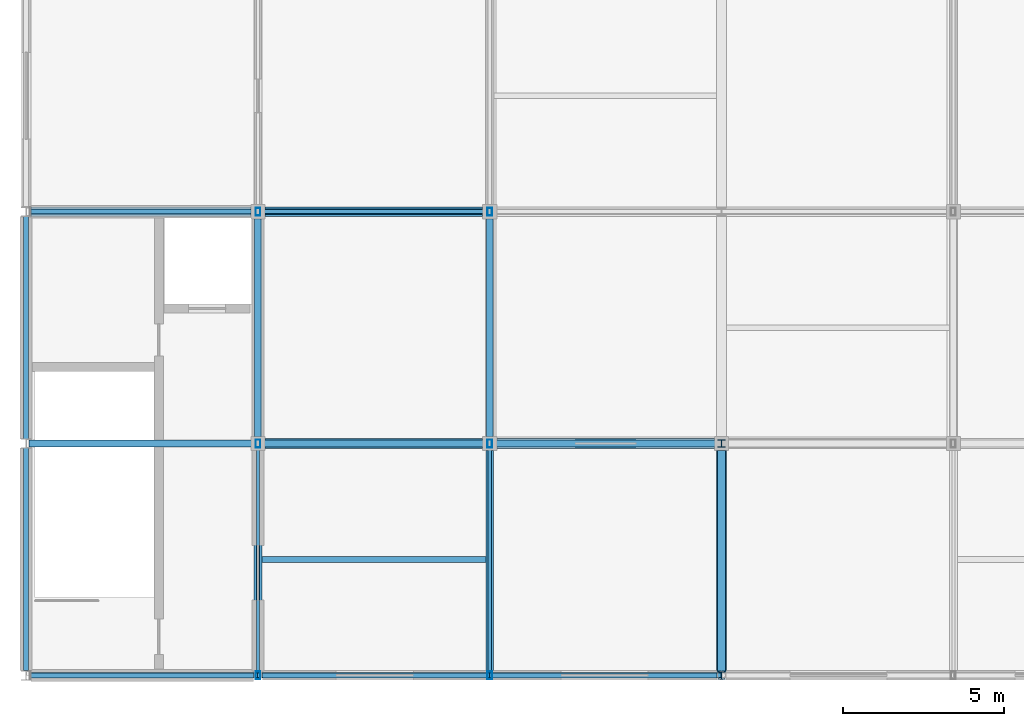
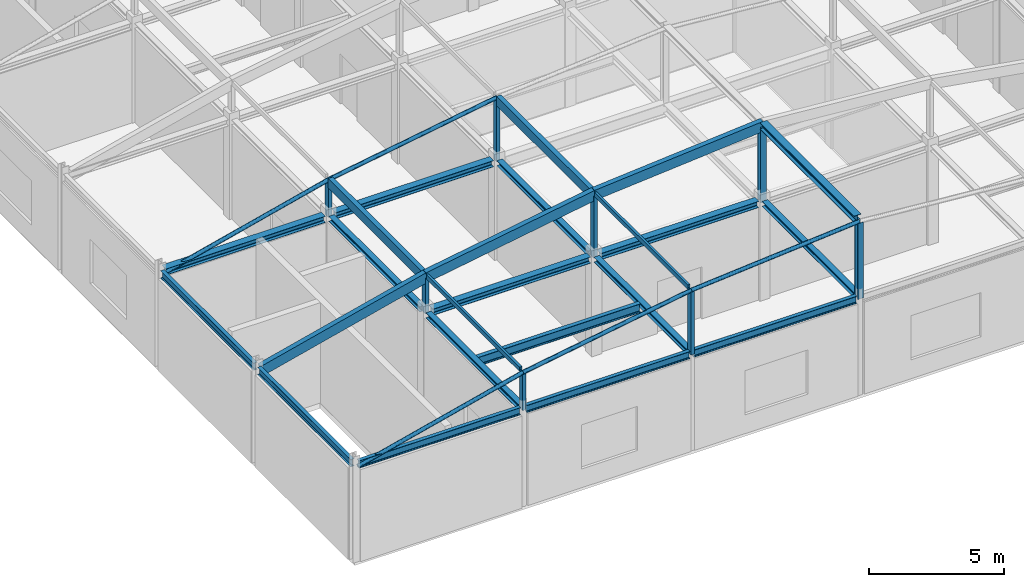
# One storey, part 7 of 23: 20 members, 16 beams.
"""IFC4 building model written with IfcOpenShell, lengths in metres."""

from ifc_helpers import new_model, si_unit, direction, frame, origin, origin_2d, place, context, subcontext, project, spatial, rectangle, hollow_rectangle, hollow_circle, i_section, extrude, material, material_profile, profile_set, type_object, element, save


model = new_model("IFC4")

# Units and contexts
model_context = context("Model", 3, precision=1e-05, world=origin(), true_north=direction((0.0, 1.0)))
body_context = subcontext(model_context, "Body", "Model", "MODEL_VIEW")
ifc_project = project(units=[si_unit("LENGTHUNIT", "METRE"), si_unit("AREAUNIT", "SQUARE_METRE"), si_unit("VOLUMEUNIT", "CUBIC_METRE"), si_unit("PLANEANGLEUNIT", "RADIAN"), si_unit("MASSUNIT", "GRAM", prefix="KILO")], contexts=[model_context])

# Site, building, storey
site_placement = place(None, origin())
site = spatial("IfcSite", under=ifc_project, at=site_placement, CompositionType="ELEMENT")
building_placement = place(site_placement, origin())
building = spatial("IfcBuilding", under=site, at=building_placement, Name="Cendaluz Park School", CompositionType="ELEMENT")
storey_placement = place(building_placement, frame((0.0, 0.0, 67.199951171875)))
storey = spatial("IfcBuildingStorey", under=building, at=storey_placement, Name="L16", CompositionType="ELEMENT", Elevation=67.199951171875)

# Beams
ifc_material_1 = material(Name="Steel S355", Category="steel")
ifc_material_profile_1 = material_profile(ifc_material_1, i_section(OverallWidth=0.300048828125, OverallDepth=0.300048828125, WebThickness=0.010986328125, FlangeThickness=0.01904296875, FilletRadius=0.027099609375, at=origin_2d()), Name="HEB 300", Category="steel")
ifc_profile_set_1 = profile_set([ifc_material_profile_1], Name="Steel S355")
beam_type_1 = type_object("IfcBeamType", Name="BM-ST03", PredefinedType="BEAM", material=ifc_profile_set_1)
beam_1_placement = place(storey_placement, frame((86.39990234375, 14.510009765625, 7.85009765625), z_axis=(0.0, 1.0, 0.0), x_axis=(-1.0, 0.0, 0.0)))
element("IfcBeam", 1, at=beam_1_placement, inside=storey, type_object=beam_type_1, Name="BM-L16-BMST03-0089", PredefinedType="BEAM", context=body_context, shape_type="SweptSolid", body=[
    extrude(i_section(OverallWidth=0.300048828125, OverallDepth=0.300048828125, WebThickness=0.010986328125, FlangeThickness=0.01904296875, FilletRadius=0.027099609375, at=origin_2d()), origin(), (0.0, 0.0, 1.0), 6.97998046875),
])
ifc_material_profile_2 = material_profile(ifc_material_1, i_section(OverallWidth=0.300048828125, OverallDepth=0.2900390625, WebThickness=0.009033203125, FlangeThickness=0.013916015625, FilletRadius=0.027099609375, at=origin_2d()), Name="HEA 300", Category="steel")
ifc_profile_set_2 = profile_set([ifc_material_profile_2], Name="Steel S355")
beam_type_2 = type_object("IfcBeamType", Name="BM-ST05", PredefinedType="BEAM", material=ifc_profile_set_2)
beam_2_placement = place(storey_placement, frame((64.949951171875, 28.800048828125, 4.344970703125), z_axis=(1.0, 0.0, 0.0), x_axis=(0.0, 1.0, 0.0)))
element("IfcBeam", 2, at=beam_2_placement, inside=storey, type_object=beam_type_2, Name="BM-L16-BMST05-0002", PredefinedType="BEAM", context=body_context, shape_type="SweptSolid", body=[
    extrude(i_section(OverallWidth=0.300048828125, OverallDepth=0.2900390625, WebThickness=0.009033203125, FlangeThickness=0.013916015625, FilletRadius=0.027099609375, at=origin_2d()), origin(), (0.0, 0.0, 1.0), 6.830078125),
])
for number, where, z_axis, x_axis, name in (
    (3, (72.219970703125, 21.60009765625, 4.344970703125), (1.0, 0.0, 0.0), (0.0, 1.0, 0.0), "BM-L16-BMST05-0007"),
    (4, (72.219970703125, 28.800048828125, 4.344970703125), (1.0, 0.0, 0.0), (0.0, 1.0, 0.0), "BM-L16-BMST05-0008"),
    (5, (79.419921875, 21.60009765625, 4.344970703125), (1.0, 0.0, 0.0), (0.0, 1.0, 0.0), "BM-L16-BMST05-0014"),
):
    element("IfcBeam", number, at=place(storey_placement, frame(where, z_axis=z_axis, x_axis=x_axis)), inside=storey, type_object=beam_type_2, Name=name, PredefinedType="BEAM", context=body_context, shape_type="SweptSolid", body=[
        extrude(i_section(OverallWidth=0.300048828125, OverallDepth=0.2900390625, WebThickness=0.009033203125, FlangeThickness=0.013916015625, FilletRadius=0.027099609375, at=origin_2d()), origin(), (0.0, 0.0, 1.0), 6.760009765625),
    ])
ifc_material_profile_3 = material_profile(ifc_material_1, i_section(OverallWidth=0.239990234375, OverallDepth=0.22998046875, WebThickness=0.008056640625, FlangeThickness=0.011962890625, FilletRadius=0.02099609375, at=origin_2d()), Name="HEA 240", Category="steel")
ifc_profile_set_3 = profile_set([ifc_material_profile_3], Name="Steel S355")
beam_type_3 = type_object("IfcBeamType", Name="BM-ST06", PredefinedType="BEAM", material=ifc_profile_set_3)
beam_3_placement = place(storey_placement, frame((72.0, 14.53662109375, 4.375), z_axis=(0.0, 1.0, 0.0), x_axis=(-1.0, 0.0, 0.0)))
element("IfcBeam", 6, at=beam_3_placement, inside=storey, type_object=beam_type_3, Name="BM-L16-BMST06-0043", PredefinedType="BEAM", context=body_context, shape_type="SweptSolid", body=[
    extrude(i_section(OverallWidth=0.239990234375, OverallDepth=0.22998046875, WebThickness=0.008056640625, FlangeThickness=0.011962890625, FilletRadius=0.02099609375, at=origin_2d()), origin(), (0.0, 0.0, 1.0), 6.84326171875),
])
beam_4_placement = place(storey_placement, frame((72.0, 21.820068359375, 4.375), z_axis=(0.0, 1.0, 0.0), x_axis=(-1.0, 0.0, 0.0)))
element("IfcBeam", 7, at=beam_4_placement, inside=storey, type_object=beam_type_3, Name="BM-L16-BMST06-0044", PredefinedType="BEAM", context=body_context, shape_type="SweptSolid", body=[
    extrude(i_section(OverallWidth=0.239990234375, OverallDepth=0.22998046875, WebThickness=0.008056640625, FlangeThickness=0.011962890625, FilletRadius=0.02099609375, at=origin_2d()), origin(), (0.0, 0.0, 1.0), 6.760009765625),
])
beam_5_placement = place(storey_placement, frame((79.199951171875, 14.52490234375, 4.375), z_axis=(0.0, 1.0, 0.0), x_axis=(-1.0, 0.0, 0.0)))
element("IfcBeam", 8, at=beam_5_placement, inside=storey, type_object=beam_type_3, Name="BM-L16-BMST06-0049", PredefinedType="BEAM", context=body_context, shape_type="SweptSolid", body=[
    extrude(i_section(OverallWidth=0.239990234375, OverallDepth=0.22998046875, WebThickness=0.008056640625, FlangeThickness=0.011962890625, FilletRadius=0.02099609375, at=origin_2d()), origin(), (0.0, 0.0, 1.0), 6.85498046875),
])
beam_6_placement = place(storey_placement, frame((79.199951171875, 21.820068359375, 4.375), z_axis=(0.0, 1.0, 0.0), x_axis=(-1.0, 0.0, 0.0)))
element("IfcBeam", 9, at=beam_6_placement, inside=storey, type_object=beam_type_3, Name="BM-L16-BMST06-0050", PredefinedType="BEAM", context=body_context, shape_type="SweptSolid", body=[
    extrude(i_section(OverallWidth=0.239990234375, OverallDepth=0.22998046875, WebThickness=0.008056640625, FlangeThickness=0.011962890625, FilletRadius=0.02099609375, at=origin_2d()), origin(), (0.0, 0.0, 1.0), 6.760009765625),
])
beam_7_placement = place(storey_placement, frame((86.39990234375, 14.53662109375, 4.375), z_axis=(0.0, 1.0, 0.0), x_axis=(-1.0, 0.0, 0.0)))
element("IfcBeam", 10, at=beam_7_placement, inside=storey, type_object=beam_type_3, Name="BM-L16-BMST06-0055", PredefinedType="BEAM", context=body_context, shape_type="SweptSolid", body=[
    extrude(i_section(OverallWidth=0.239990234375, OverallDepth=0.22998046875, WebThickness=0.008056640625, FlangeThickness=0.011962890625, FilletRadius=0.02099609375, at=origin_2d()), origin(), (0.0, 0.0, 1.0), 6.84326171875),
])
ifc_material_profile_4 = material_profile(ifc_material_1, i_section(OverallWidth=0.179931640625, OverallDepth=0.39990234375, WebThickness=0.009033203125, FlangeThickness=0.013916015625, FilletRadius=0.02099609375, at=origin_2d()), Name="IPE 400", Category="steel")
ifc_profile_set_4 = profile_set([ifc_material_profile_4], Name="Steel S355")
beam_type_4 = type_object("IfcBeamType", Name="BM-ST07", PredefinedType="BEAM", material=ifc_profile_set_4)
beam_8_placement = place(storey_placement, frame((72.1201171875, 18.0, 4.2900390625), z_axis=(1.0, 0.0, 0.0), x_axis=(0.0, 1.0, 0.0)))
element("IfcBeam", 11, at=beam_8_placement, inside=storey, type_object=beam_type_4, Name="BM-L16-BMST07-0080", PredefinedType="BEAM", context=body_context, shape_type="SweptSolid", body=[
    extrude(i_section(OverallWidth=0.179931640625, OverallDepth=0.39990234375, WebThickness=0.009033203125, FlangeThickness=0.013916015625, FilletRadius=0.02099609375, at=origin_2d()), origin(), (0.0, 0.0, 1.0), 6.9599609375),
])
ifc_material_profile_5 = material_profile(ifc_material_1, i_section(OverallWidth=0.159912109375, OverallDepth=0.330078125, WebThickness=0.008056640625, FlangeThickness=0.011962890625, FilletRadius=0.01806640625, at=origin_2d()), Name="IPE 330", Category="steel")
ifc_profile_set_5 = profile_set([ifc_material_profile_5], Name="Steel S355")
beam_type_5 = type_object("IfcBeamType", Name="BM-ST08", PredefinedType="LINTEL", material=ifc_profile_set_5)
beam_9_placement = place(storey_placement, frame((64.949951171875, 14.39990234375, 4.324951171875), z_axis=(1.0, 0.0, 0.0), x_axis=(0.0, 1.0, 0.0)))
element("IfcBeam", 12, at=beam_9_placement, inside=storey, type_object=beam_type_5, Name="BM-L16-BMST08-0001", PredefinedType="LINTEL", context=body_context, shape_type="SweptSolid", body=[
    extrude(i_section(OverallWidth=0.159912109375, OverallDepth=0.330078125, WebThickness=0.008056640625, FlangeThickness=0.011962890625, FilletRadius=0.01806640625, at=origin_2d()), origin(), (0.0, 0.0, 1.0), 6.91357421875),
])
for number, where, z_axis, x_axis, name in (
    (13, (72.136474609375, 14.39990234375, 4.324951171875), (1.0, 0.0, 0.0), (0.0, 1.0, 0.0), "BM-L16-BMST08-0006"),
    (14, (79.27490234375, 14.39990234375, 4.324951171875), (1.0, 0.0, 0.0), (0.0, 1.0, 0.0), "BM-L16-BMST08-0013"),
):
    element("IfcBeam", number, at=place(storey_placement, frame(where, z_axis=z_axis, x_axis=x_axis)), inside=storey, type_object=beam_type_5, Name=name, PredefinedType="LINTEL", context=body_context, shape_type="SweptSolid", body=[
        extrude(i_section(OverallWidth=0.159912109375, OverallDepth=0.330078125, WebThickness=0.008056640625, FlangeThickness=0.011962890625, FilletRadius=0.01806640625, at=origin_2d()), origin(), (0.0, 0.0, 1.0), 6.988525390625),
    ])
beam_10_placement = place(storey_placement, frame((64.800048828125, 14.550048828125, 4.324951171875), z_axis=(0.0, 1.0, 0.0), x_axis=(-1.0, 0.0, 0.0)))
element("IfcBeam", 15, at=beam_10_placement, inside=storey, type_object=beam_type_5, Name="BM-L16-BMST08-0037", PredefinedType="LINTEL", context=body_context, shape_type="SweptSolid", body=[
    extrude(i_section(OverallWidth=0.159912109375, OverallDepth=0.330078125, WebThickness=0.008056640625, FlangeThickness=0.011962890625, FilletRadius=0.01806640625, at=origin_2d()), origin(), (0.0, 0.0, 1.0), 6.905029296875),
])
beam_11_placement = place(storey_placement, frame((64.800048828125, 21.7451171875, 4.324951171875), z_axis=(0.0, 1.0, 0.0), x_axis=(-1.0, 0.0, 0.0)))
element("IfcBeam", 16, at=beam_11_placement, inside=storey, type_object=beam_type_5, Name="BM-L16-BMST08-0038", PredefinedType="LINTEL", context=body_context, shape_type="SweptSolid", body=[
    extrude(i_section(OverallWidth=0.159912109375, OverallDepth=0.330078125, WebThickness=0.008056640625, FlangeThickness=0.011962890625, FilletRadius=0.01806640625, at=origin_2d()), origin(), (0.0, 0.0, 1.0), 6.90478515625),
])

# Members
ifc_material_profile_6 = material_profile(ifc_material_1, hollow_circle(Radius=0.083984375, WallThickness=0.008056640625, at=origin_2d()), Name="CHS 168x8", Category="steel")
ifc_profile_set_6 = profile_set([ifc_material_profile_6], Name="Steel S355")
member_type_1 = type_object("IfcMemberType", Name="MB-CH02", PredefinedType="CHORD", material=ifc_profile_set_6)
member_1_placement = place(storey_placement, frame((64.93994140625, 14.39990234375, 4.219970703125), z_axis=(0.970304131105, 0.0, 0.241888183178), x_axis=(0.0, 1.0, 0.0)))
element("IfcMember", 17, at=member_1_placement, inside=storey, type_object=member_type_1, Name="MB-L16-MBCH02-0006", PredefinedType="CHORD", context=body_context, shape_type="SweptSolid", body=[
    extrude(hollow_circle(Radius=0.083984375, WallThickness=0.008056640625, at=origin_2d()), origin(), (0.0, 0.0, 1.0), 7.276123046875),
])
member_2_placement = place(storey_placement, frame((72.0, 14.39990234375, 5.97998046875), z_axis=(0.986394827799, 0.0, 0.164393563414), x_axis=(0.0, 1.0, 0.0)))
element("IfcMember", 18, at=member_2_placement, inside=storey, type_object=member_type_1, Name="MB-L16-MBCH02-0007", PredefinedType="CHORD", context=body_context, shape_type="SweptSolid", body=[
    extrude(hollow_circle(Radius=0.083984375, WallThickness=0.008056640625, at=origin_2d()), origin(), (0.0, 0.0, 1.0), 7.29931640625),
])
member_3_placement = place(storey_placement, frame((79.199951171875, 14.39990234375, 7.179931640625), z_axis=(0.996544592923, 0.0, 0.083059462528), x_axis=(0.0, 1.0, 0.0)))
element("IfcMember", 19, at=member_3_placement, inside=storey, type_object=member_type_1, Name="MB-L16-MBCH02-0008", PredefinedType="CHORD", context=body_context, shape_type="SweptSolid", body=[
    extrude(hollow_circle(Radius=0.083984375, WallThickness=0.008056640625, at=origin_2d()), origin(), (0.0, 0.0, 1.0), 7.224853515625),
])
member_4_placement = place(storey_placement, frame((64.93994140625, 28.800048828125, 4.219970703125), z_axis=(0.970304131105, 0.0, 0.241888183178), x_axis=(0.0, 1.0, 0.0)))
element("IfcMember", 20, at=member_4_placement, inside=storey, type_object=member_type_1, Name="MB-L16-MBCH02-0028", PredefinedType="CHORD", context=body_context, shape_type="SweptSolid", body=[
    extrude(hollow_circle(Radius=0.083984375, WallThickness=0.008056640625, at=origin_2d()), origin(), (0.0, 0.0, 1.0), 7.276123046875),
])
member_5_placement = place(storey_placement, frame((72.0, 28.800048828125, 5.97998046875), z_axis=(0.986394827799, 0.0, 0.164393563414), x_axis=(0.0, 1.0, 0.0)))
element("IfcMember", 21, at=member_5_placement, inside=storey, type_object=member_type_1, Name="MB-L16-MBCH02-0029", PredefinedType="CHORD", context=body_context, shape_type="SweptSolid", body=[
    extrude(hollow_circle(Radius=0.083984375, WallThickness=0.008056640625, at=origin_2d()), origin(), (0.0, 0.0, 1.0), 7.29931640625),
])
ifc_material_2 = material(Name="Glulam GL28h", Category="wood")
ifc_material_profile_7 = material_profile(ifc_material_2, rectangle(XDim=0.219970703125, YDim=0.4599609375, at=origin_2d()), Name="GL28h 220x460", Category="wood")
ifc_profile_set_7 = profile_set([ifc_material_profile_7], Name="Glulam GL28h")
member_type_2 = type_object("IfcMemberType", Name="MB-CH03", PredefinedType="CHORD", material=ifc_profile_set_7)
member_6_placement = place(storey_placement, frame((64.93994140625, 21.60009765625, 4.219970703125), z_axis=(0.970304131105, 0.0, 0.241888183178), x_axis=(0.0, 1.0, 0.0)))
element("IfcMember", 22, at=member_6_placement, inside=storey, type_object=member_type_2, Name="MB-L16-MBCH03-0017", PredefinedType="CHORD", context=body_context, shape_type="SweptSolid", body=[
    extrude(rectangle(XDim=0.219970703125, YDim=0.4599609375, at=origin_2d()), origin(), (0.0, 0.0, 1.0), 7.276123046875),
])
member_7_placement = place(storey_placement, frame((72.0, 21.60009765625, 5.97998046875), z_axis=(0.986394827799, 0.0, 0.164393563414), x_axis=(0.0, 1.0, 0.0)))
element("IfcMember", 23, at=member_7_placement, inside=storey, type_object=member_type_2, Name="MB-L16-MBCH03-0018", PredefinedType="CHORD", context=body_context, shape_type="SweptSolid", body=[
    extrude(rectangle(XDim=0.219970703125, YDim=0.4599609375, at=origin_2d()), origin(), (0.0, 0.0, 1.0), 7.29931640625),
])
member_8_placement = place(storey_placement, frame((79.199951171875, 21.60009765625, 7.179931640625), z_axis=(0.996544592923, 0.0, 0.083059462528), x_axis=(0.0, 1.0, 0.0)))
element("IfcMember", 24, at=member_8_placement, inside=storey, type_object=member_type_2, Name="MB-L16-MBCH03-0019", PredefinedType="CHORD", context=body_context, shape_type="SweptSolid", body=[
    extrude(rectangle(XDim=0.219970703125, YDim=0.4599609375, at=origin_2d()), origin(), (0.0, 0.0, 1.0), 7.224853515625),
])
ifc_material_profile_8 = material_profile(ifc_material_1, hollow_rectangle(XDim=0.10009765625, YDim=0.199951171875, WallThickness=0.008056640625, at=origin_2d()), Name="RHS 200x100x8", Category="steel")
ifc_profile_set_8 = profile_set([ifc_material_profile_8], Name="Steel S355")
member_type_3 = type_object("IfcMemberType", Name="MB-PR03", PredefinedType="PURLIN", material=ifc_profile_set_8)
for number, where, z_axis, x_axis, name in (
    (25, (72.0, 14.5400390625, 6.050048828125), (0.0, 1.0, 0.0), (-1.0, 0.0, 0.0), "MB-L16-MBPR03-0078"),
    (26, (79.199951171875, 14.5400390625, 7.25), (0.0, 1.0, 0.0), (-1.0, 0.0, 0.0), "MB-L16-MBPR03-0079"),
):
    element("IfcMember", number, at=place(storey_placement, frame(where, z_axis=z_axis, x_axis=x_axis)), inside=storey, type_object=member_type_3, Name=name, PredefinedType="PURLIN", context=body_context, shape_type="SweptSolid", body=[
        extrude(hollow_rectangle(XDim=0.10009765625, YDim=0.199951171875, WallThickness=0.008056640625, at=origin_2d()), origin(), (0.0, 0.0, 1.0), 6.919921875),
    ])
ifc_material_profile_9 = material_profile(ifc_material_2, rectangle(XDim=0.199951171875, YDim=0.419921875, at=origin_2d()), Name="GL28h 200x420", Category="wood")
ifc_profile_set_9 = profile_set([ifc_material_profile_9], Name="Glulam GL28h")
member_type_4 = type_object("IfcMemberType", Name="MB-PR04", PredefinedType="PURLIN", material=ifc_profile_set_9)
for number, where, z_axis, x_axis, name in (
    (27, (72.0, 21.739990234375, 5.93994140625), (0.0, 1.0, 0.0), (-1.0, 0.0, 0.0), "MB-L16-MBPR04-0082"),
    (28, (79.199951171875, 21.739990234375, 7.14013671875), (0.0, 1.0, 0.0), (-1.0, 0.0, 0.0), "MB-L16-MBPR04-0083"),
):
    element("IfcMember", number, at=place(storey_placement, frame(where, z_axis=z_axis, x_axis=x_axis)), inside=storey, type_object=member_type_4, Name=name, PredefinedType="PURLIN", context=body_context, shape_type="SweptSolid", body=[
        extrude(rectangle(XDim=0.199951171875, YDim=0.419921875, at=origin_2d()), origin(), (0.0, 0.0, 1.0), 6.919921875),
    ])
ifc_material_profile_10 = material_profile(ifc_material_1, i_section(OverallWidth=0.239990234375, OverallDepth=0.22998046875, WebThickness=0.008056640625, FlangeThickness=0.011962890625, FilletRadius=0.02099609375, at=origin_2d()), Name="HEA 240", Category="steel")
ifc_profile_set_10 = profile_set([ifc_material_profile_10], Name="Steel S355")
member_type_5 = type_object("IfcMemberType", Name="MST-01", PredefinedType="STRUT", material=ifc_profile_set_10)
for number, where, z_axis, x_axis, name in (
    (29, (86.39990234375, 14.39990234375, 4.35009765625), (0.0, 0.0, 1.0), (1.0, 0.0, 0.0), "MB-L16-MBST01-0001"),
    (30, (86.39990234375, 21.60009765625, 4.35009765625), (0.0, 0.0, 1.0), (1.0, 0.0, 0.0), "MB-L16-MBST01-0012"),
):
    element("IfcMember", number, at=place(storey_placement, frame(where, z_axis=z_axis, x_axis=x_axis)), inside=storey, type_object=member_type_5, Name=name, PredefinedType="STRUT", context=body_context, shape_type="SweptSolid", body=[
        extrude(i_section(OverallWidth=0.239990234375, OverallDepth=0.22998046875, WebThickness=0.008056640625, FlangeThickness=0.011962890625, FilletRadius=0.02099609375, at=origin_2d()), origin(), (0.0, 0.0, 1.0), 3.429931640625),
    ])
ifc_material_profile_11 = material_profile(ifc_material_1, hollow_rectangle(XDim=0.14990234375, YDim=0.25, WallThickness=0.010009765625, at=origin_2d()), Name="RHS 250x150x10", Category="steel")
ifc_profile_set_11 = profile_set([ifc_material_profile_11], Name="Steel S355")
member_type_6 = type_object("IfcMemberType", Name="MST-02", PredefinedType="STRUT", material=ifc_profile_set_11)
member_9_placement = place(storey_placement, frame((72.0, 14.39990234375, 4.35009765625), z_axis=(0.0, 0.0, 1.0), x_axis=(1.0, 0.0, 0.0)))
element("IfcMember", 31, at=member_9_placement, inside=storey, type_object=member_type_6, Name="MB-L16-MBST02-0002", PredefinedType="STRUT", context=body_context, shape_type="SweptSolid", body=[
    extrude(hollow_rectangle(XDim=0.14990234375, YDim=0.25, WallThickness=0.010009765625, at=origin_2d()), origin(), (0.0, 0.0, 1.0), 1.6298828125),
])
member_10_placement = place(storey_placement, frame((79.199951171875, 14.39990234375, 4.35009765625), z_axis=(0.0, 0.0, 1.0), x_axis=(1.0, 0.0, 0.0)))
element("IfcMember", 32, at=member_10_placement, inside=storey, type_object=member_type_6, Name="MB-L16-MBST02-0003", PredefinedType="STRUT", context=body_context, shape_type="SweptSolid", body=[
    extrude(hollow_rectangle(XDim=0.14990234375, YDim=0.25, WallThickness=0.010009765625, at=origin_2d()), origin(), (0.0, 0.0, 1.0), 2.829833984375),
])
member_11_placement = place(storey_placement, frame((72.0, 21.60009765625, 4.35009765625), z_axis=(0.0, 0.0, 1.0), x_axis=(1.0, 0.0, 0.0)))
element("IfcMember", 33, at=member_11_placement, inside=storey, type_object=member_type_6, Name="MB-L16-MBST02-0013", PredefinedType="STRUT", context=body_context, shape_type="SweptSolid", body=[
    extrude(hollow_rectangle(XDim=0.14990234375, YDim=0.25, WallThickness=0.010009765625, at=origin_2d()), origin(), (0.0, 0.0, 1.0), 1.6298828125),
])
member_12_placement = place(storey_placement, frame((79.199951171875, 21.60009765625, 4.35009765625), z_axis=(0.0, 0.0, 1.0), x_axis=(1.0, 0.0, 0.0)))
element("IfcMember", 34, at=member_12_placement, inside=storey, type_object=member_type_6, Name="MB-L16-MBST02-0014", PredefinedType="STRUT", context=body_context, shape_type="SweptSolid", body=[
    extrude(hollow_rectangle(XDim=0.14990234375, YDim=0.25, WallThickness=0.010009765625, at=origin_2d()), origin(), (0.0, 0.0, 1.0), 2.829833984375),
])
member_13_placement = place(storey_placement, frame((72.0, 28.800048828125, 4.35009765625), z_axis=(0.0, 0.0, 1.0), x_axis=(1.0, 0.0, 0.0)))
element("IfcMember", 35, at=member_13_placement, inside=storey, type_object=member_type_6, Name="MB-L16-MBST02-0024", PredefinedType="STRUT", context=body_context, shape_type="SweptSolid", body=[
    extrude(hollow_rectangle(XDim=0.14990234375, YDim=0.25, WallThickness=0.010009765625, at=origin_2d()), origin(), (0.0, 0.0, 1.0), 1.6298828125),
])
member_14_placement = place(storey_placement, frame((79.199951171875, 28.800048828125, 4.35009765625), z_axis=(0.0, 0.0, 1.0), x_axis=(1.0, 0.0, 0.0)))
element("IfcMember", 36, at=member_14_placement, inside=storey, type_object=member_type_6, Name="MB-L16-MBST02-0025", PredefinedType="STRUT", context=body_context, shape_type="SweptSolid", body=[
    extrude(hollow_rectangle(XDim=0.14990234375, YDim=0.25, WallThickness=0.010009765625, at=origin_2d()), origin(), (0.0, 0.0, 1.0), 2.829833984375),
])

save(model, "model.ifc")
